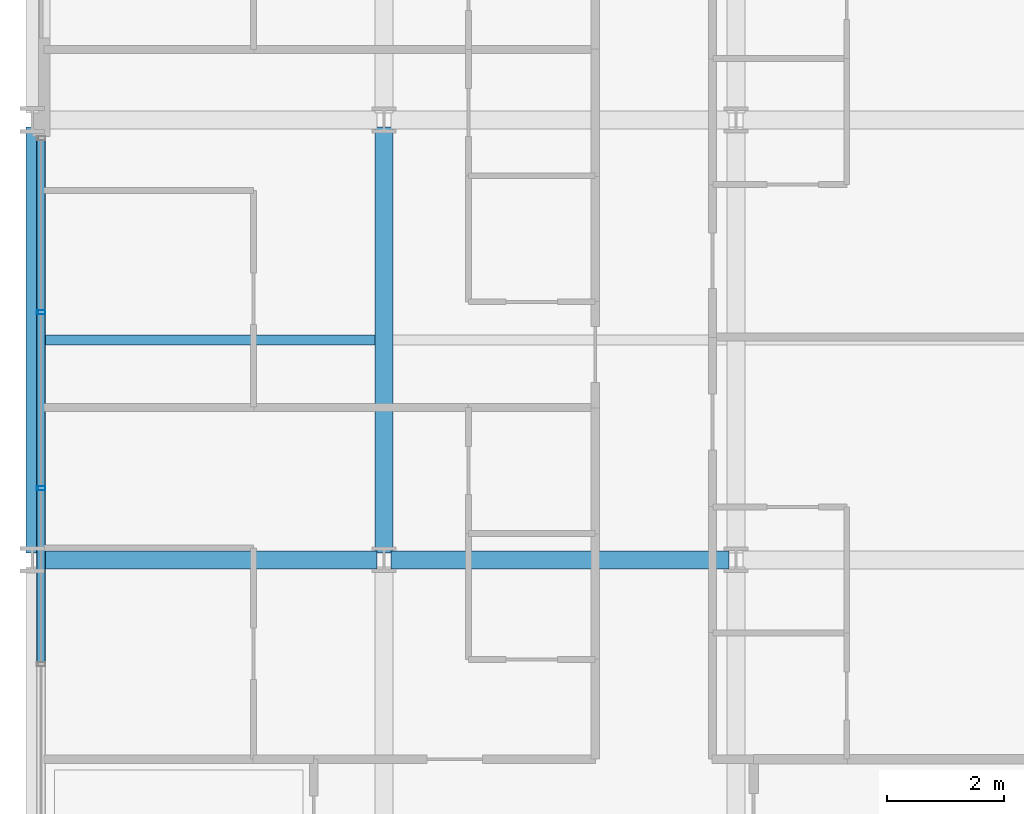
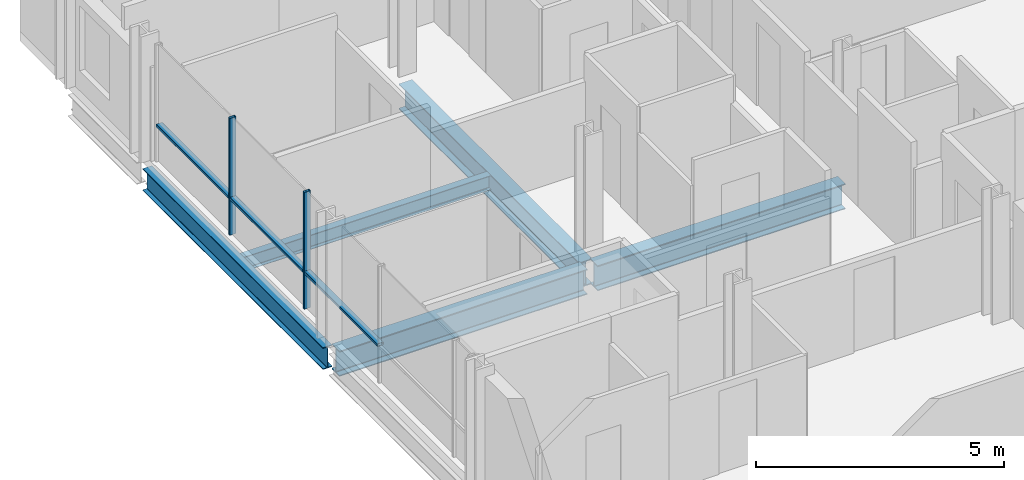
# One storey, part 5 of 41: 5 beams, 5 members, 1 element without a shape of its own.
"""IFC4 building model written with IfcOpenShell, lengths in metres."""

import ifcopenshell
import ifcopenshell.guid

model = None  # the IFC model being written
_history = None  # IfcOwnerHistory: only IFC2X3 demands one
_inside = {}  # id of a spatial element -> (the spatial element, [elements in it])
_under = {}  # id of a project, library or spatial element -> (it, [spatial elements below it])
_declared = {}  # id of a project -> (the project, [libraries it declares])
_typed = {}  # id of a type object -> (the type object, [elements of that type])
_made_of = {}  # id of a material, layer set ... -> (it, [elements and type objects made of it])


def new_model(schema):
    """Start an empty IFC model of exactly this schema.

    Asked for "IFC4X3", IfcOpenShell would pick the latest addendum, in which some entities
    have other attributes; the version numbers below select the first issue.
    IFC2X3 requires an IfcOwnerHistory on every rooted entity: one is made here for all.
    """
    global model, _history
    if schema == "IFC4X3":
        model = ifcopenshell.file(schema_version=(4, 3, 0, 0))
    else:
        model = ifcopenshell.file(schema=schema)
    _inside.clear()
    _under.clear()
    _declared.clear()
    _typed.clear()
    _made_of.clear()
    _history = None
    if model.schema == "IFC2X3":
        org = make("IfcOrganization", Name="unknown")
        user = make(
            "IfcPersonAndOrganization",
            ThePerson=make("IfcPerson", FamilyName="unknown"),
            TheOrganization=org,
        )
        app = make(
            "IfcApplication",
            ApplicationDeveloper=org,
            Version="unknown",
            ApplicationFullName="unknown",
            ApplicationIdentifier="unknown",
        )
        _history = make(
            "IfcOwnerHistory",
            OwningUser=user,
            OwningApplication=app,
            ChangeAction="ADDED",
            CreationDate=0,
        )
    return model


def make(cls, **values):
    """One entity of the class cls with the attributes given. An attribute that is None is left unset."""
    return model.create_entity(
        cls, **{name: value for name, value in values.items() if value is not None}
    )


def rooted(cls, **values):
    """An entity with a GlobalId (a new one), such as an element, a storey or a relation."""
    return make(cls, GlobalId=ifcopenshell.guid.new(), OwnerHistory=_history, **values)


def si_unit(unit_type, name, prefix=None):
    """IfcSIUnit, for example si_unit("LENGTHUNIT", "METRE", prefix="MILLI")."""
    return make("IfcSIUnit", UnitType=unit_type, Prefix=prefix, Name=name)


def assignment(units):
    """IfcUnitAssignment: the units of a project."""
    return None if units is None else make("IfcUnitAssignment", Units=units)


def point(xyz):
    """IfcCartesianPoint."""
    return None if xyz is None else make("IfcCartesianPoint", Coordinates=xyz)


def direction(xyz):
    """IfcDirection."""
    return None if xyz is None else make("IfcDirection", DirectionRatios=xyz)


def frame(location, z_axis=None, x_axis=None):
    """IfcAxis2Placement3D, a coordinate frame: its origin and axes. An axis left out is left unset."""
    return make(
        "IfcAxis2Placement3D",
        Location=point(location),
        Axis=direction(z_axis),
        RefDirection=direction(x_axis),
    )


def frame_2d(location, x_axis=None):
    """IfcAxis2Placement2D, a coordinate frame in the plane: its origin and x axis."""
    return make(
        "IfcAxis2Placement2D", Location=point(location), RefDirection=direction(x_axis)
    )


def origin():
    """The frame at (0, 0, 0) with its axes left unset."""
    return frame((0.0, 0.0, 0.0))


def origin_2d():
    """The frame at (0, 0) in the plane with its x axis left unset."""
    return frame_2d((0.0, 0.0))


def place(relative_to, where):
    """IfcLocalPlacement: puts the frame where relative to a parent placement (None: the world)."""
    return make(
        "IfcLocalPlacement", PlacementRelTo=relative_to, RelativePlacement=where
    )


def context(
    kind, dimensions, precision=None, world=None, true_north=None, identifier=None
):
    """IfcGeometricRepresentationContext, for example the 3D "Model" context."""
    return make(
        "IfcGeometricRepresentationContext",
        ContextIdentifier=identifier,
        ContextType=kind,
        CoordinateSpaceDimension=dimensions,
        Precision=precision,
        WorldCoordinateSystem=world,
        TrueNorth=true_north,
    )


def subcontext(parent, identifier, kind, view, scale=None):
    """IfcGeometricRepresentationSubContext, for example "Body" below "Model"."""
    return make(
        "IfcGeometricRepresentationSubContext",
        ContextIdentifier=identifier,
        ContextType=kind,
        ParentContext=parent,
        TargetScale=scale,
        TargetView=view,
    )


def project(units=None, contexts=None):
    """IfcProject with its units and contexts."""
    return rooted(
        "IfcProject",
        Name="project",
        RepresentationContexts=contexts,
        UnitsInContext=assignment(units),
    )


def spatial(cls, under=None, at=None, **own):
    """A site, building, storey or space (cls), placed at a placement, below another one or the project."""
    s = rooted(cls, ObjectPlacement=at, **own)
    if under is not None:
        _under.setdefault(under.id(), (under, []))[1].append(s)
    return s


def profile(cls, at=None, kind="AREA", **sizes):
    """A parametric profile (cls). Its sizes go by their IFC names, for example OverallWidth=200.0."""
    return make(cls, ProfileType=kind, Position=at, **sizes)


def hollow_rectangle(**sizes):
    """IfcRectangleHollowProfileDef."""
    return profile("IfcRectangleHollowProfileDef", **sizes)


def i_section(**sizes):
    """IfcIShapeProfileDef."""
    return profile("IfcIShapeProfileDef", **sizes)


def extrude(swept, where, along, depth):
    """IfcExtrudedAreaSolid: the profile swept, set in the frame where, extruded along a direction by depth."""
    return make(
        "IfcExtrudedAreaSolid",
        SweptArea=swept,
        Position=where,
        ExtrudedDirection=direction(along),
        Depth=depth,
    )


def shape(context_of_items, identifier, shape_type, items):
    """IfcShapeRepresentation: the items that make up one representation, for example the "Body"."""
    return make(
        "IfcShapeRepresentation",
        ContextOfItems=context_of_items,
        RepresentationIdentifier=identifier,
        RepresentationType=shape_type,
        Items=items,
    )


def material(Name=None, Category=None):
    """IfcMaterial."""
    return make("IfcMaterial", Name=Name, Category=Category)


def layer(
    of_material, thickness, ventilated=None, Name=None, Category=None, Priority=None
):
    """IfcMaterialLayer: one layer of a wall or slab, of a material (None: an air gap)."""
    return make(
        "IfcMaterialLayer",
        Material=of_material,
        LayerThickness=thickness,
        IsVentilated=ventilated,
        Name=Name,
        Category=Category,
        Priority=Priority,
    )


def layer_set(layers, Name=None):
    """IfcMaterialLayerSet."""
    return make("IfcMaterialLayerSet", MaterialLayers=layers, LayerSetName=Name)


def material_profile(
    of_material, cross_section, Name=None, Category=None, Priority=None
):
    """IfcMaterialProfile: a cross section and its material."""
    return make(
        "IfcMaterialProfile",
        Name=Name,
        Material=of_material,
        Profile=cross_section,
        Priority=Priority,
        Category=Category,
    )


def profile_set(profiles, Name=None, composite=None):
    """IfcMaterialProfileSet."""
    return make(
        "IfcMaterialProfileSet",
        Name=Name,
        MaterialProfiles=profiles,
        CompositeProfile=composite,
    )


def made_of(thing, what):
    """Note that an element or type object is made of a material, layer set ...; save() writes the relation."""
    if what is not None:
        _made_of.setdefault(what.id(), (what, []))[1].append(thing)
    return thing


def type_object(cls, material=None, **own):
    """A type object (cls), such as IfcWallType, which elements share."""
    return made_of(rooted(cls, **own), material)


def element(
    cls,
    number,
    at=None,
    inside=None,
    cuts=None,
    type_object=None,
    material=None,
    context=None,
    identifier="Body",
    shape_type=None,
    held_by="IfcProductDefinitionShape",
    body=None,
    shapes=None,
    **own,
):
    """One element of the class cls, such as IfcWall. Its Tag is "e" and its number.

    at: its placement. inside: the storey or other place that contains it. cuts: it is an
    opening in that element (IfcRelVoidsElement). A single representation is given by context,
    identifier, shape_type and body (its items); several are given by shapes. held_by: the class
    of the entity that holds the representations. save() writes the other relations.
    """
    e = rooted(cls, Tag="e%d" % number, ObjectPlacement=at, **own)
    if body is not None:
        shapes = [shape(context, identifier, shape_type, body)]
    if shapes is not None:
        e.Representation = make(held_by, Representations=shapes)
    if inside is not None:
        _inside.setdefault(inside.id(), (inside, []))[1].append(e)
    if cuts is not None:
        rooted(
            "IfcRelVoidsElement", RelatingBuildingElement=cuts, RelatedOpeningElement=e
        )
    if type_object is not None:
        _typed.setdefault(type_object.id(), (type_object, []))[1].append(e)
    return made_of(e, material)


def aggregate(whole, parts):
    """IfcRelAggregates: a whole, such as a stair, and the parts it consists of."""
    return rooted("IfcRelAggregates", RelatingObject=whole, RelatedObjects=parts)


def save(model, path):
    """Write the relations noted so far, then the file.

    IfcRelAggregates (storeys below a building ...), IfcRelContainedInSpatialStructure (elements
    in a storey), IfcRelDefinesByType, IfcRelAssociatesMaterial and IfcRelDeclares: one each for
    every whole, place, type object, material and project.
    """
    for whole, parts in _under.values():
        aggregate(whole, parts)
    for where, things in _inside.values():
        rooted(
            "IfcRelContainedInSpatialStructure",
            RelatedElements=things,
            RelatingStructure=where,
        )
    for kind, things in _typed.values():
        rooted("IfcRelDefinesByType", RelatedObjects=things, RelatingType=kind)
    for what, things in _made_of.values():
        rooted("IfcRelAssociatesMaterial", RelatedObjects=things, RelatingMaterial=what)
    for by, libraries in _declared.values():
        rooted("IfcRelDeclares", RelatingContext=by, RelatedDefinitions=libraries)
    model.write(path)


model = new_model("IFC4")

# Units and contexts
model_context = context("Model", 3, precision=1e-05, world=origin(), true_north=direction((0.0, 1.0)))
body_context = subcontext(model_context, "Body", "Model", "MODEL_VIEW")
ifc_project = project(units=[si_unit("LENGTHUNIT", "METRE"), si_unit("AREAUNIT", "SQUARE_METRE"), si_unit("VOLUMEUNIT", "CUBIC_METRE"), si_unit("PLANEANGLEUNIT", "RADIAN"), si_unit("MASSUNIT", "GRAM", prefix="KILO")], contexts=[model_context])

# Site, building, storey
site_placement = place(None, origin())
site = spatial("IfcSite", under=ifc_project, at=site_placement, CompositionType="ELEMENT")
building_placement = place(site_placement, origin())
building = spatial("IfcBuilding", under=site, at=building_placement, Name="Brevholm Reach", CompositionType="ELEMENT")
storey_placement = place(building_placement, frame((0.0, 0.0, 86.89990234375)))
storey = spatial("IfcBuildingStorey", under=building, at=storey_placement, Name="L25", CompositionType="ELEMENT", Elevation=86.89990234375)

# Beams
ifc_material_1 = material(Name="Structural Steel S355J2", Category="steel")
ifc_material_profile_1 = material_profile(ifc_material_1, i_section(OverallWidth=0.17138671875, OverallDepth=0.35498046875, WebThickness=0.00732421875, FlangeThickness=0.011474609375, FilletRadius=0.01025390625, at=origin_2d()), Name="UKB 356x171x51")
ifc_profile_set_1 = profile_set([ifc_material_profile_1], Name="Structural Steel S355J2")
beam_type_1 = type_object("IfcBeamType", Name="BM-B356", PredefinedType="BEAM", material=ifc_profile_set_1)
beam_1_placement = place(storey_placement, frame((0.10546875, 19.75, -0.407470703125), z_axis=(1.0, 0.0, 0.0), x_axis=(0.0, 1.0, 0.0)))
element("IfcBeam", 1, at=beam_1_placement, inside=storey, type_object=beam_type_1, Name="L25 Composite Secondary Floor Beam", PredefinedType="BEAM", context=body_context, shape_type="SweptSolid", body=[
    extrude(i_section(OverallWidth=0.17138671875, OverallDepth=0.35498046875, WebThickness=0.00732421875, FlangeThickness=0.011474609375, FilletRadius=0.01025390625, at=origin_2d()), origin(), (0.0, 0.0, 1.0), 5.740966796875),
])
ifc_material_2 = material(Name="Structural Steel S355J2", Category="steel")
ifc_material_profile_2 = material_profile(ifc_material_2, i_section(OverallWidth=0.210693359375, OverallDepth=0.53955078125, WebThickness=0.01171875, FlangeThickness=0.018798828125, FilletRadius=0.0126953125, at=origin_2d()), Name="UKB 533x210x109")
ifc_profile_set_2 = profile_set([ifc_material_profile_2], Name="Structural Steel S355J2")
beam_type_2 = type_object("IfcBeamType", Name="BM-SP539", PredefinedType="SPANDREL", material=ifc_profile_set_2)
beam_2_placement = place(storey_placement, frame((0.0, 16.1201171875, -0.499755859375), z_axis=(0.0, 1.0, 0.0), x_axis=(-1.0, 0.0, 0.0)))
element("IfcBeam", 2, at=beam_2_placement, inside=storey, type_object=beam_type_2, Name="L25 SP-01B Framing Beam", PredefinedType="SPANDREL", context=body_context, shape_type="SweptSolid", body=[
    extrude(i_section(OverallWidth=0.210693359375, OverallDepth=0.53955078125, WebThickness=0.01171875, FlangeThickness=0.018798828125, FilletRadius=0.0126953125, at=origin_2d()), origin(), (0.0, 0.0, 1.0), 7.259765625),
])
ifc_material_3 = material(Name="Structural Steel S355J2", Category="steel")
ifc_material_profile_3 = material_profile(ifc_material_3, i_section(OverallWidth=0.30712890625, OverallDepth=0.6201171875, WebThickness=0.01416015625, FlangeThickness=0.023681640625, FilletRadius=0.0166015625, at=origin_2d()), Name="UKB 610x305x179")
ifc_profile_set_3 = profile_set([ifc_material_profile_3], Name="Structural Steel S355J2")
beam_type_3 = type_object("IfcBeamType", Name="BM-UKB610H", PredefinedType="USERDEFINED", material=ifc_profile_set_3)
for number, where, z_axis, x_axis, name in (
    (3, (0.1201171875, 16.0, -0.5400390625), (1.0, 0.0, 0.0), (0.0, 1.0, 0.0), "L25 G-06 Framing Beam"),
    (4, (6.1201171875, 16.0, -0.5400390625), (1.0, 0.0, 0.0), (0.0, 1.0, 0.0), "L25 G-06 Framing Beam"),
):
    element("IfcBeam", number, at=place(storey_placement, frame(where, z_axis=z_axis, x_axis=x_axis)), inside=storey, type_object=beam_type_3, Name=name, ObjectType="GIRDER", PredefinedType="USERDEFINED", context=body_context, shape_type="SweptSolid", body=[
        extrude(i_section(OverallWidth=0.30712890625, OverallDepth=0.6201171875, WebThickness=0.01416015625, FlangeThickness=0.023681640625, FilletRadius=0.0166015625, at=origin_2d()), origin(), (0.0, 0.0, 1.0), 5.759765625),
    ])
beam_3_placement = place(storey_placement, frame((6.0, 16.1201171875, -0.5400390625), z_axis=(0.0, 1.0, 0.0), x_axis=(-1.0, 0.0, 0.0)))
element("IfcBeam", 5, at=beam_3_placement, inside=storey, type_object=beam_type_3, Name="L25 G-06 Framing Beam", ObjectType="GIRDER", PredefinedType="USERDEFINED", context=body_context, shape_type="SweptSolid", body=[
    extrude(i_section(OverallWidth=0.30712890625, OverallDepth=0.6201171875, WebThickness=0.01416015625, FlangeThickness=0.023681640625, FilletRadius=0.0166015625, at=origin_2d()), origin(), (0.0, 0.0, 1.0), 7.259765625),
])

# Curtain wall, members
ifc_material_4 = material(Name="Dark Anodised Aluminium 6063-T6 and Solar-Control Glass", Category="aluminium")
ifc_layer = layer(ifc_material_4, 0.14990234375)
ifc_layer_set = layer_set([ifc_layer], Name="Dark Anodised Aluminium 6063-T6 and Solar-Control Glass")
curtain_wall_type = type_object("IfcCurtainWallType", Name="CW-01", PredefinedType="NOTDEFINED", material=ifc_layer_set)
curtain_wall_placement = place(storey_placement, origin())
curtain_wall = element("IfcCurtainWall", 6, at=curtain_wall_placement, inside=storey, type_object=curtain_wall_type, Name="L25 Curtain Wall CW-01", PredefinedType="NOTDEFINED")
ifc_material_5 = material(Name="Dark Anodised Aluminium 6063-T6", Category="aluminium")
ifc_material_profile_4 = material_profile(ifc_material_5, hollow_rectangle(XDim=0.06494140625, YDim=0.14990234375, WallThickness=0.0048828125, InnerFilletRadius=0.0048828125, OuterFilletRadius=0.010009765625, at=origin_2d()), Name="RHS 150x65x5")
ifc_profile_set_4 = profile_set([ifc_material_profile_4], Name="Dark Anodised Aluminium 6063-T6")
member_type_1 = type_object("IfcMemberType", Name="CWM-150", PredefinedType="MULLION", material=ifc_profile_set_4)
member_1_placement = place(storey_placement, frame((0.14990234375, 20.219970703125, 0.0), z_axis=(0.0, 0.0, 1.0), x_axis=(0.0, -1.0, 0.0)))
member_1 = element("IfcMember", 7, at=member_1_placement, type_object=member_type_1, Name="CM-150 Mullion 2", PredefinedType="MULLION", context=body_context, shape_type="SweptSolid", body=[
    extrude(hollow_rectangle(XDim=0.06494140625, YDim=0.14990234375, WallThickness=0.0048828125, InnerFilletRadius=0.0048828125, OuterFilletRadius=0.010009765625, at=origin_2d()), origin(), (0.0, 0.0, 1.0), 2.8701171875),
])
member_2_placement = place(storey_placement, frame((0.14990234375, 17.219970703125, 0.0), z_axis=(0.0, 0.0, 1.0), x_axis=(0.0, -1.0, 0.0)))
member_2 = element("IfcMember", 8, at=member_2_placement, type_object=member_type_1, Name="CM-150 Mullion 3", PredefinedType="MULLION", context=body_context, shape_type="SweptSolid", body=[
    extrude(hollow_rectangle(XDim=0.06494140625, YDim=0.14990234375, WallThickness=0.0048828125, InnerFilletRadius=0.0048828125, OuterFilletRadius=0.010009765625, at=origin_2d()), origin(), (0.0, 0.0, 1.0), 2.8701171875),
])
ifc_material_6 = material(Name="Dark Anodised Aluminium 6063-T6", Category="aluminium")
ifc_material_profile_5 = material_profile(ifc_material_6, hollow_rectangle(XDim=0.06494140625, YDim=0.14990234375, WallThickness=0.0048828125, InnerFilletRadius=0.0048828125, OuterFilletRadius=0.010009765625, at=origin_2d()), Name="RHS 150x65x5")
ifc_profile_set_5 = profile_set([ifc_material_profile_5], Name="Dark Anodised Aluminium 6063-T6")
member_type_2 = type_object("IfcMemberType", Name="CWT-150", PredefinedType="NOTDEFINED", material=ifc_profile_set_5)
member_3_placement = place(storey_placement, frame((0.14990234375, 23.155029296875, 0.900146484375), z_axis=(0.0, -1.0, 0.0), x_axis=(0.0, 0.0, 1.0)))
member_3 = element("IfcMember", 9, at=member_3_placement, type_object=member_type_2, Name="CT-150 Transom 1.1", ObjectType="TRANSOM", PredefinedType="USERDEFINED", context=body_context, shape_type="SweptSolid", body=[
    extrude(hollow_rectangle(XDim=0.06494140625, YDim=0.14990234375, WallThickness=0.0048828125, InnerFilletRadius=0.0048828125, OuterFilletRadius=0.010009765625, at=origin_2d()), origin(), (0.0, 0.0, 1.0), 2.902587890625),
])
member_4_placement = place(storey_placement, frame((0.14990234375, 20.1875, 0.900146484375), z_axis=(0.0, -1.0, 0.0), x_axis=(0.0, 0.0, 1.0)))
member_4 = element("IfcMember", 10, at=member_4_placement, type_object=member_type_2, Name="CT-150 Transom 2.1", ObjectType="TRANSOM", PredefinedType="USERDEFINED", context=body_context, shape_type="SweptSolid", body=[
    extrude(hollow_rectangle(XDim=0.06494140625, YDim=0.14990234375, WallThickness=0.0048828125, InnerFilletRadius=0.0048828125, OuterFilletRadius=0.010009765625, at=origin_2d()), origin(), (0.0, 0.0, 1.0), 2.93505859375),
])
member_5_placement = place(storey_placement, frame((0.14990234375, 17.1875, 0.900146484375), z_axis=(0.0, -1.0, 0.0), x_axis=(0.0, 0.0, 1.0)))
member_5 = element("IfcMember", 11, at=member_5_placement, type_object=member_type_2, Name="CT-150 Transom 3.1", ObjectType="TRANSOM", PredefinedType="USERDEFINED", context=body_context, shape_type="SweptSolid", body=[
    extrude(hollow_rectangle(XDim=0.06494140625, YDim=0.14990234375, WallThickness=0.0048828125, InnerFilletRadius=0.0048828125, OuterFilletRadius=0.010009765625, at=origin_2d()), origin(), (0.0, 0.0, 1.0), 2.93505859375),
])
aggregate(curtain_wall, [member_1, member_2, member_3, member_4, member_5])

save(model, "model.ifc")
